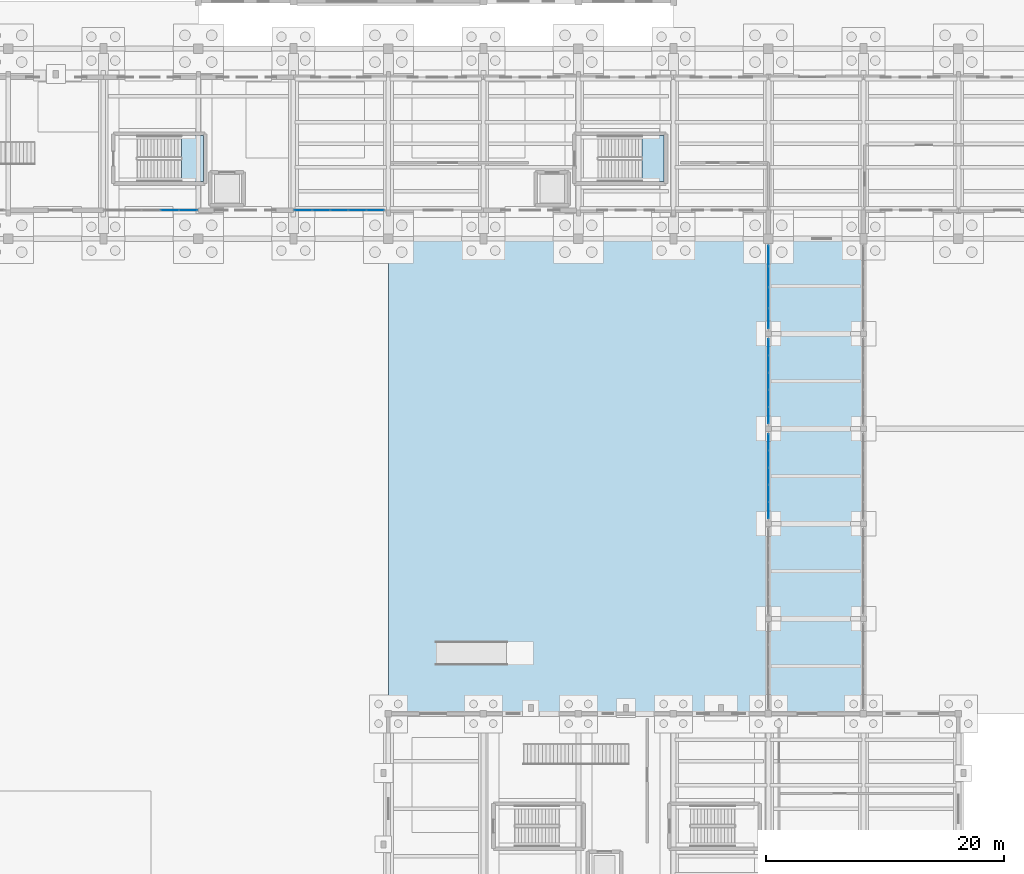
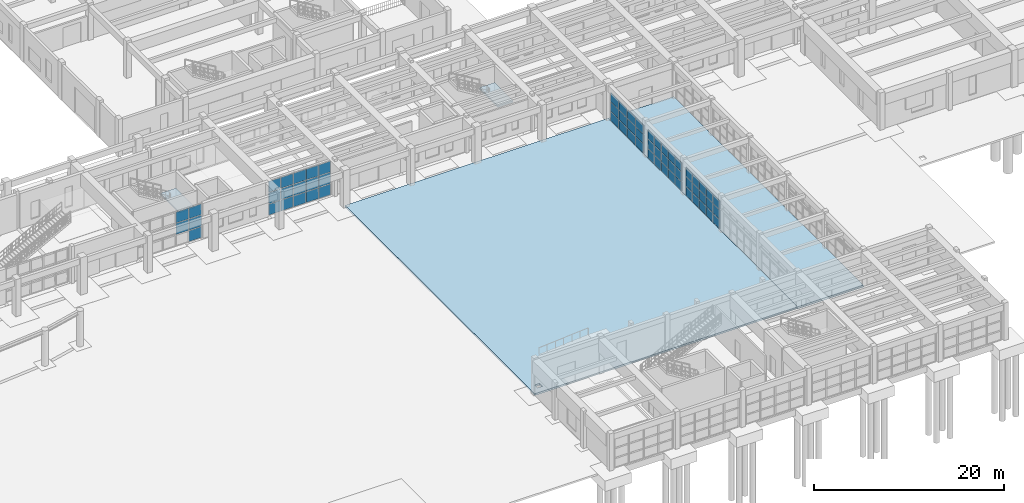
# One storey, part 39 of 68: 62 plates, 4 slabs, 7 elements without a shape of their own.
"""IFC4 building model written with IfcOpenShell, lengths in metres."""

import ifcopenshell
import ifcopenshell.guid

model = None  # the IFC model being written
_history = None  # IfcOwnerHistory: only IFC2X3 demands one
_inside = {}  # id of a spatial element -> (the spatial element, [elements in it])
_under = {}  # id of a project, library or spatial element -> (it, [spatial elements below it])
_declared = {}  # id of a project -> (the project, [libraries it declares])
_typed = {}  # id of a type object -> (the type object, [elements of that type])
_made_of = {}  # id of a material, layer set ... -> (it, [elements and type objects made of it])


def new_model(schema):
    """Start an empty IFC model of exactly this schema.

    Asked for "IFC4X3", IfcOpenShell would pick the latest addendum, in which some entities
    have other attributes; the version numbers below select the first issue.
    IFC2X3 requires an IfcOwnerHistory on every rooted entity: one is made here for all.
    """
    global model, _history
    if schema == "IFC4X3":
        model = ifcopenshell.file(schema_version=(4, 3, 0, 0))
    else:
        model = ifcopenshell.file(schema=schema)
    _inside.clear()
    _under.clear()
    _declared.clear()
    _typed.clear()
    _made_of.clear()
    _history = None
    if model.schema == "IFC2X3":
        org = make("IfcOrganization", Name="unknown")
        user = make(
            "IfcPersonAndOrganization",
            ThePerson=make("IfcPerson", FamilyName="unknown"),
            TheOrganization=org,
        )
        app = make(
            "IfcApplication",
            ApplicationDeveloper=org,
            Version="unknown",
            ApplicationFullName="unknown",
            ApplicationIdentifier="unknown",
        )
        _history = make(
            "IfcOwnerHistory",
            OwningUser=user,
            OwningApplication=app,
            ChangeAction="ADDED",
            CreationDate=0,
        )
    return model


def make(cls, **values):
    """One entity of the class cls with the attributes given. An attribute that is None is left unset."""
    return model.create_entity(
        cls, **{name: value for name, value in values.items() if value is not None}
    )


def rooted(cls, **values):
    """An entity with a GlobalId (a new one), such as an element, a storey or a relation."""
    return make(cls, GlobalId=ifcopenshell.guid.new(), OwnerHistory=_history, **values)


def si_unit(unit_type, name, prefix=None):
    """IfcSIUnit, for example si_unit("LENGTHUNIT", "METRE", prefix="MILLI")."""
    return make("IfcSIUnit", UnitType=unit_type, Prefix=prefix, Name=name)


def assignment(units):
    """IfcUnitAssignment: the units of a project."""
    return None if units is None else make("IfcUnitAssignment", Units=units)


def point(xyz):
    """IfcCartesianPoint."""
    return None if xyz is None else make("IfcCartesianPoint", Coordinates=xyz)


def direction(xyz):
    """IfcDirection."""
    return None if xyz is None else make("IfcDirection", DirectionRatios=xyz)


def frame(location, z_axis=None, x_axis=None):
    """IfcAxis2Placement3D, a coordinate frame: its origin and axes. An axis left out is left unset."""
    return make(
        "IfcAxis2Placement3D",
        Location=point(location),
        Axis=direction(z_axis),
        RefDirection=direction(x_axis),
    )


def frame_2d(location, x_axis=None):
    """IfcAxis2Placement2D, a coordinate frame in the plane: its origin and x axis."""
    return make(
        "IfcAxis2Placement2D", Location=point(location), RefDirection=direction(x_axis)
    )


def origin():
    """The frame at (0, 0, 0) with its axes left unset."""
    return frame((0.0, 0.0, 0.0))


def origin_2d():
    """The frame at (0, 0) in the plane with its x axis left unset."""
    return frame_2d((0.0, 0.0))


def place(relative_to, where):
    """IfcLocalPlacement: puts the frame where relative to a parent placement (None: the world)."""
    return make(
        "IfcLocalPlacement", PlacementRelTo=relative_to, RelativePlacement=where
    )


def context(
    kind, dimensions, precision=None, world=None, true_north=None, identifier=None
):
    """IfcGeometricRepresentationContext, for example the 3D "Model" context."""
    return make(
        "IfcGeometricRepresentationContext",
        ContextIdentifier=identifier,
        ContextType=kind,
        CoordinateSpaceDimension=dimensions,
        Precision=precision,
        WorldCoordinateSystem=world,
        TrueNorth=true_north,
    )


def subcontext(parent, identifier, kind, view, scale=None):
    """IfcGeometricRepresentationSubContext, for example "Body" below "Model"."""
    return make(
        "IfcGeometricRepresentationSubContext",
        ContextIdentifier=identifier,
        ContextType=kind,
        ParentContext=parent,
        TargetScale=scale,
        TargetView=view,
    )


def project(units=None, contexts=None):
    """IfcProject with its units and contexts."""
    return rooted(
        "IfcProject",
        Name="project",
        RepresentationContexts=contexts,
        UnitsInContext=assignment(units),
    )


def spatial(cls, under=None, at=None, **own):
    """A site, building, storey or space (cls), placed at a placement, below another one or the project."""
    s = rooted(cls, ObjectPlacement=at, **own)
    if under is not None:
        _under.setdefault(under.id(), (under, []))[1].append(s)
    return s


def polyline(points):
    """IfcPolyline through the points."""
    return make("IfcPolyline", Points=[point(p) for p in points])


def profile(cls, at=None, kind="AREA", **sizes):
    """A parametric profile (cls). Its sizes go by their IFC names, for example OverallWidth=200.0."""
    return make(cls, ProfileType=kind, Position=at, **sizes)


def rectangle(**sizes):
    """IfcRectangleProfileDef."""
    return profile("IfcRectangleProfileDef", **sizes)


def outline(outer, holes=None, kind="AREA"):
    """IfcArbitraryClosedProfileDef: a profile drawn as a closed curve; with holes, ...WithVoids."""
    if holes is None:
        return make("IfcArbitraryClosedProfileDef", ProfileType=kind, OuterCurve=outer)
    return make(
        "IfcArbitraryProfileDefWithVoids",
        ProfileType=kind,
        OuterCurve=outer,
        InnerCurves=holes,
    )


def extrude(swept, where, along, depth):
    """IfcExtrudedAreaSolid: the profile swept, set in the frame where, extruded along a direction by depth."""
    return make(
        "IfcExtrudedAreaSolid",
        SweptArea=swept,
        Position=where,
        ExtrudedDirection=direction(along),
        Depth=depth,
    )


def shape(context_of_items, identifier, shape_type, items):
    """IfcShapeRepresentation: the items that make up one representation, for example the "Body"."""
    return make(
        "IfcShapeRepresentation",
        ContextOfItems=context_of_items,
        RepresentationIdentifier=identifier,
        RepresentationType=shape_type,
        Items=items,
    )


def material(Name=None, Category=None):
    """IfcMaterial."""
    return make("IfcMaterial", Name=Name, Category=Category)


def layer(
    of_material, thickness, ventilated=None, Name=None, Category=None, Priority=None
):
    """IfcMaterialLayer: one layer of a wall or slab, of a material (None: an air gap)."""
    return make(
        "IfcMaterialLayer",
        Material=of_material,
        LayerThickness=thickness,
        IsVentilated=ventilated,
        Name=Name,
        Category=Category,
        Priority=Priority,
    )


def layer_set(layers, Name=None):
    """IfcMaterialLayerSet."""
    return make("IfcMaterialLayerSet", MaterialLayers=layers, LayerSetName=Name)


def made_of(thing, what):
    """Note that an element or type object is made of a material, layer set ...; save() writes the relation."""
    if what is not None:
        _made_of.setdefault(what.id(), (what, []))[1].append(thing)
    return thing


def type_object(cls, material=None, **own):
    """A type object (cls), such as IfcWallType, which elements share."""
    return made_of(rooted(cls, **own), material)


def element(
    cls,
    number,
    at=None,
    inside=None,
    cuts=None,
    type_object=None,
    material=None,
    context=None,
    identifier="Body",
    shape_type=None,
    held_by="IfcProductDefinitionShape",
    body=None,
    shapes=None,
    **own,
):
    """One element of the class cls, such as IfcWall. Its Tag is "e" and its number.

    at: its placement. inside: the storey or other place that contains it. cuts: it is an
    opening in that element (IfcRelVoidsElement). A single representation is given by context,
    identifier, shape_type and body (its items); several are given by shapes. held_by: the class
    of the entity that holds the representations. save() writes the other relations.
    """
    e = rooted(cls, Tag="e%d" % number, ObjectPlacement=at, **own)
    if body is not None:
        shapes = [shape(context, identifier, shape_type, body)]
    if shapes is not None:
        e.Representation = make(held_by, Representations=shapes)
    if inside is not None:
        _inside.setdefault(inside.id(), (inside, []))[1].append(e)
    if cuts is not None:
        rooted(
            "IfcRelVoidsElement", RelatingBuildingElement=cuts, RelatedOpeningElement=e
        )
    if type_object is not None:
        _typed.setdefault(type_object.id(), (type_object, []))[1].append(e)
    return made_of(e, material)


def aggregate(whole, parts):
    """IfcRelAggregates: a whole, such as a stair, and the parts it consists of."""
    return rooted("IfcRelAggregates", RelatingObject=whole, RelatedObjects=parts)


def save(model, path):
    """Write the relations noted so far, then the file.

    IfcRelAggregates (storeys below a building ...), IfcRelContainedInSpatialStructure (elements
    in a storey), IfcRelDefinesByType, IfcRelAssociatesMaterial and IfcRelDeclares: one each for
    every whole, place, type object, material and project.
    """
    for whole, parts in _under.values():
        aggregate(whole, parts)
    for where, things in _inside.values():
        rooted(
            "IfcRelContainedInSpatialStructure",
            RelatedElements=things,
            RelatingStructure=where,
        )
    for kind, things in _typed.values():
        rooted("IfcRelDefinesByType", RelatedObjects=things, RelatingType=kind)
    for what, things in _made_of.values():
        rooted("IfcRelAssociatesMaterial", RelatedObjects=things, RelatingMaterial=what)
    for by, libraries in _declared.values():
        rooted("IfcRelDeclares", RelatingContext=by, RelatedDefinitions=libraries)
    model.write(path)


model = new_model("IFC4")

# Units and contexts
model_context = context("Model", 3, precision=1e-05, world=origin(), true_north=direction((0.0, 1.0)))
body_context = subcontext(model_context, "Body", "Model", "MODEL_VIEW")
ifc_project = project(units=[si_unit("LENGTHUNIT", "METRE"), si_unit("AREAUNIT", "SQUARE_METRE"), si_unit("VOLUMEUNIT", "CUBIC_METRE"), si_unit("PLANEANGLEUNIT", "RADIAN"), si_unit("MASSUNIT", "GRAM", prefix="KILO")], contexts=[model_context])

# Site, building, storey
site_placement = place(None, origin())
site = spatial("IfcSite", under=ifc_project, at=site_placement, CompositionType="ELEMENT")
building_placement = place(site_placement, origin())
building = spatial("IfcBuilding", under=site, at=building_placement, Name="Serraluz Foothill Cableway Terminal", CompositionType="ELEMENT")
storey_placement = place(building_placement, origin())
storey = spatial("IfcBuildingStorey", under=building, at=storey_placement, Name="L00", CompositionType="ELEMENT", Elevation=0.0)

# Curtain wall, plates
ifc_material_1 = material(Name="Architectural bronze alloy C28000", Category="aluminium")
curtain_wall_type_1 = type_object("IfcCurtainWallType", Name="TYP-CW-720X480", PredefinedType="NOTDEFINED", material=ifc_material_1)
curtain_wall_1_placement = place(storey_placement, origin())
curtain_wall_1 = element("IfcCurtainWall", 1, at=curtain_wall_1_placement, inside=storey, type_object=curtain_wall_type_1, Name="Ribbed Glazed Curtain Wall CW-V1S-L00-64", PredefinedType="NOTDEFINED")
ifc_material_2 = material(Name="Translucent ribbed laminated channel glass", Category="glass")
ifc_layer_1 = layer(ifc_material_2, 0.028076171875, Name="Translucent ribbed laminated channel glass", Category="glass")
ifc_layer_set_1 = layer_set([ifc_layer_1], Name="Translucent ribbed laminated channel glass")
plate_type = type_object("IfcPlateType", Name="TYP-CW-PNL-28", PredefinedType="CURTAIN_PANEL", material=ifc_layer_set_1)
plate_1_placement = place(storey_placement, frame((71.143310546875, 58.39990234375, 0.06005859375), z_axis=(0.0, 0.0, 1.0), x_axis=(-1.0, 0.0, 0.0)))
plate_1 = element("IfcPlate", 2, at=plate_1_placement, type_object=plate_type, Name="CW-04 panel 1.1", PredefinedType="CURTAIN_PANEL", context=body_context, shape_type="SweptSolid", body=[
    extrude(rectangle(XDim=1.4892578125, YDim=0.028076171875, at=origin_2d()), origin(), (0.0, 0.0, 1.0), 1.393310546875),
])
plate_2_placement = place(storey_placement, frame((71.143310546875, 58.39990234375, 1.513427734375), z_axis=(0.0, 0.0, 1.0), x_axis=(-1.0, 0.0, 0.0)))
plate_2 = element("IfcPlate", 3, at=plate_2_placement, type_object=plate_type, Name="CW-04 panel 1.2", PredefinedType="CURTAIN_PANEL", context=body_context, shape_type="SweptSolid", body=[
    extrude(rectangle(XDim=1.4892578125, YDim=0.028076171875, at=origin_2d()), origin(), (0.0, 0.0, 1.0), 1.42333984375),
])
plate_3_placement = place(storey_placement, frame((71.143310546875, 58.39990234375, 2.99658203125), z_axis=(0.0, 0.0, 1.0), x_axis=(-1.0, 0.0, 0.0)))
plate_3 = element("IfcPlate", 4, at=plate_3_placement, type_object=plate_type, Name="CW-04 panel 1.3", PredefinedType="CURTAIN_PANEL", context=body_context, shape_type="SweptSolid", body=[
    extrude(rectangle(XDim=1.4892578125, YDim=0.028076171875, at=origin_2d()), origin(), (0.0, 0.0, 1.0), 1.393310546875),
])
plate_4_placement = place(storey_placement, frame((69.5791015625, 58.39990234375, 1.513427734375), z_axis=(0.0, 0.0, 1.0), x_axis=(-1.0, 0.0, 0.0)))
plate_4 = element("IfcPlate", 5, at=plate_4_placement, type_object=plate_type, Name="CW-04 panel 2.2", PredefinedType="CURTAIN_PANEL", context=body_context, shape_type="SweptSolid", body=[
    extrude(rectangle(XDim=1.519287109375, YDim=0.028076171875, at=origin_2d()), origin(), (0.0, 0.0, 1.0), 1.42333984375),
])
plate_5_placement = place(storey_placement, frame((69.5791015625, 58.39990234375, 2.99658203125), z_axis=(0.0, 0.0, 1.0), x_axis=(-1.0, 0.0, 0.0)))
plate_5 = element("IfcPlate", 6, at=plate_5_placement, type_object=plate_type, Name="CW-04 panel 2.3", PredefinedType="CURTAIN_PANEL", context=body_context, shape_type="SweptSolid", body=[
    extrude(rectangle(XDim=1.519287109375, YDim=0.028076171875, at=origin_2d()), origin(), (0.0, 0.0, 1.0), 1.393310546875),
])
aggregate(curtain_wall_1, [plate_1, plate_2, plate_3, plate_4, plate_5])

curtain_wall_type_2 = type_object("IfcCurtainWallType", Name="TYP-CW-740X440", PredefinedType="NOTDEFINED", material=ifc_material_1)
curtain_wall_2_placement = place(storey_placement, origin())
curtain_wall_2 = element("IfcCurtainWall", 7, at=curtain_wall_2_placement, inside=storey, type_object=curtain_wall_type_2, Name="Ribbed Glazed Curtain Wall CW-V1S-L00-80", PredefinedType="NOTDEFINED")
plate_6_placement = place(storey_placement, frame((86.90673828125, 58.39990234375, 0.06005859375), z_axis=(0.0, 0.0, 1.0), x_axis=(-1.0, 0.0, 0.0)))
plate_6 = element("IfcPlate", 8, at=plate_6_placement, type_object=plate_type, Name="CW-06 panel 1.1", PredefinedType="CURTAIN_PANEL", context=body_context, shape_type="SweptSolid", body=[
    extrude(rectangle(XDim=1.4365234375, YDim=0.028076171875, at=origin_2d()), origin(), (0.0, 0.0, 1.0), 1.393310546875),
])
plate_7_placement = place(storey_placement, frame((86.90673828125, 58.39990234375, 1.513427734375), z_axis=(0.0, 0.0, 1.0), x_axis=(-1.0, 0.0, 0.0)))
plate_7 = element("IfcPlate", 9, at=plate_7_placement, type_object=plate_type, Name="CW-06 panel 1.2", PredefinedType="CURTAIN_PANEL", context=body_context, shape_type="SweptSolid", body=[
    extrude(rectangle(XDim=1.4365234375, YDim=0.028076171875, at=origin_2d()), origin(), (0.0, 0.0, 1.0), 1.42333984375),
])
plate_8_placement = place(storey_placement, frame((86.90673828125, 58.39990234375, 2.99658203125), z_axis=(0.0, 0.0, 1.0), x_axis=(-1.0, 0.0, 0.0)))
plate_8 = element("IfcPlate", 10, at=plate_8_placement, type_object=plate_type, Name="CW-06 panel 1.3", PredefinedType="CURTAIN_PANEL", context=body_context, shape_type="SweptSolid", body=[
    extrude(rectangle(XDim=1.4365234375, YDim=0.028076171875, at=origin_2d()), origin(), (0.0, 0.0, 1.0), 1.393310546875),
])
plate_9_placement = place(storey_placement, frame((85.39501953125, 58.39990234375, 0.06005859375), z_axis=(0.0, 0.0, 1.0), x_axis=(-1.0, 0.0, 0.0)))
plate_9 = element("IfcPlate", 11, at=plate_9_placement, type_object=plate_type, Name="CW-06 panel 2.1", PredefinedType="CURTAIN_PANEL", context=body_context, shape_type="SweptSolid", body=[
    extrude(rectangle(XDim=1.466552734375, YDim=0.028076171875, at=origin_2d()), origin(), (0.0, 0.0, 1.0), 1.393310546875),
])
plate_10_placement = place(storey_placement, frame((85.39501953125, 58.39990234375, 1.513427734375), z_axis=(0.0, 0.0, 1.0), x_axis=(-1.0, 0.0, 0.0)))
plate_10 = element("IfcPlate", 12, at=plate_10_placement, type_object=plate_type, Name="CW-06 panel 2.2", PredefinedType="CURTAIN_PANEL", context=body_context, shape_type="SweptSolid", body=[
    extrude(rectangle(XDim=1.466552734375, YDim=0.028076171875, at=origin_2d()), origin(), (0.0, 0.0, 1.0), 1.42333984375),
])
plate_11_placement = place(storey_placement, frame((85.39501953125, 58.39990234375, 2.99658203125), z_axis=(0.0, 0.0, 1.0), x_axis=(-1.0, 0.0, 0.0)))
plate_11 = element("IfcPlate", 13, at=plate_11_placement, type_object=plate_type, Name="CW-06 panel 2.3", PredefinedType="CURTAIN_PANEL", context=body_context, shape_type="SweptSolid", body=[
    extrude(rectangle(XDim=1.466552734375, YDim=0.028076171875, at=origin_2d()), origin(), (0.0, 0.0, 1.0), 1.393310546875),
])
plate_12_placement = place(storey_placement, frame((83.868408203125, 58.39990234375, 0.06005859375), z_axis=(0.0, 0.0, 1.0), x_axis=(-1.0, 0.0, 0.0)))
plate_12 = element("IfcPlate", 14, at=plate_12_placement, type_object=plate_type, Name="CW-06 panel 3.1", PredefinedType="CURTAIN_PANEL", context=body_context, shape_type="SweptSolid", body=[
    extrude(rectangle(XDim=1.466552734375, YDim=0.028076171875, at=origin_2d()), origin(), (0.0, 0.0, 1.0), 1.393310546875),
])
plate_13_placement = place(storey_placement, frame((83.868408203125, 58.39990234375, 1.513427734375), z_axis=(0.0, 0.0, 1.0), x_axis=(-1.0, 0.0, 0.0)))
plate_13 = element("IfcPlate", 15, at=plate_13_placement, type_object=plate_type, Name="CW-06 panel 3.2", PredefinedType="CURTAIN_PANEL", context=body_context, shape_type="SweptSolid", body=[
    extrude(rectangle(XDim=1.466552734375, YDim=0.028076171875, at=origin_2d()), origin(), (0.0, 0.0, 1.0), 1.42333984375),
])
plate_14_placement = place(storey_placement, frame((83.868408203125, 58.39990234375, 2.99658203125), z_axis=(0.0, 0.0, 1.0), x_axis=(-1.0, 0.0, 0.0)))
plate_14 = element("IfcPlate", 16, at=plate_14_placement, type_object=plate_type, Name="CW-06 panel 3.3", PredefinedType="CURTAIN_PANEL", context=body_context, shape_type="SweptSolid", body=[
    extrude(rectangle(XDim=1.466552734375, YDim=0.028076171875, at=origin_2d()), origin(), (0.0, 0.0, 1.0), 1.393310546875),
])
plate_15_placement = place(storey_placement, frame((82.341796875, 58.39990234375, 0.06005859375), z_axis=(0.0, 0.0, 1.0), x_axis=(-1.0, 0.0, 0.0)))
plate_15 = element("IfcPlate", 17, at=plate_15_placement, type_object=plate_type, Name="CW-06 panel 4.1", PredefinedType="CURTAIN_PANEL", context=body_context, shape_type="SweptSolid", body=[
    extrude(rectangle(XDim=1.466552734375, YDim=0.028076171875, at=origin_2d()), origin(), (0.0, 0.0, 1.0), 1.393310546875),
])
plate_16_placement = place(storey_placement, frame((82.341796875, 58.39990234375, 1.513427734375), z_axis=(0.0, 0.0, 1.0), x_axis=(-1.0, 0.0, 0.0)))
plate_16 = element("IfcPlate", 18, at=plate_16_placement, type_object=plate_type, Name="CW-06 panel 4.2", PredefinedType="CURTAIN_PANEL", context=body_context, shape_type="SweptSolid", body=[
    extrude(rectangle(XDim=1.466552734375, YDim=0.028076171875, at=origin_2d()), origin(), (0.0, 0.0, 1.0), 1.42333984375),
])
plate_17_placement = place(storey_placement, frame((82.341796875, 58.39990234375, 2.99658203125), z_axis=(0.0, 0.0, 1.0), x_axis=(-1.0, 0.0, 0.0)))
plate_17 = element("IfcPlate", 19, at=plate_17_placement, type_object=plate_type, Name="CW-06 panel 4.3", PredefinedType="CURTAIN_PANEL", context=body_context, shape_type="SweptSolid", body=[
    extrude(rectangle(XDim=1.466552734375, YDim=0.028076171875, at=origin_2d()), origin(), (0.0, 0.0, 1.0), 1.393310546875),
])
plate_18_placement = place(storey_placement, frame((80.830322265625, 58.39990234375, 0.06005859375), z_axis=(0.0, 0.0, 1.0), x_axis=(-1.0, 0.0, 0.0)))
plate_18 = element("IfcPlate", 20, at=plate_18_placement, type_object=plate_type, Name="CW-06 panel 5.1", PredefinedType="CURTAIN_PANEL", context=body_context, shape_type="SweptSolid", body=[
    extrude(rectangle(XDim=1.4365234375, YDim=0.028076171875, at=origin_2d()), origin(), (0.0, 0.0, 1.0), 1.393310546875),
])
plate_19_placement = place(storey_placement, frame((80.830322265625, 58.39990234375, 1.513427734375), z_axis=(0.0, 0.0, 1.0), x_axis=(-1.0, 0.0, 0.0)))
plate_19 = element("IfcPlate", 21, at=plate_19_placement, type_object=plate_type, Name="CW-06 panel 5.2", PredefinedType="CURTAIN_PANEL", context=body_context, shape_type="SweptSolid", body=[
    extrude(rectangle(XDim=1.4365234375, YDim=0.028076171875, at=origin_2d()), origin(), (0.0, 0.0, 1.0), 1.42333984375),
])
plate_20_placement = place(storey_placement, frame((80.830322265625, 58.39990234375, 2.99658203125), z_axis=(0.0, 0.0, 1.0), x_axis=(-1.0, 0.0, 0.0)))
plate_20 = element("IfcPlate", 22, at=plate_20_placement, type_object=plate_type, Name="CW-06 panel 5.3", PredefinedType="CURTAIN_PANEL", context=body_context, shape_type="SweptSolid", body=[
    extrude(rectangle(XDim=1.4365234375, YDim=0.028076171875, at=origin_2d()), origin(), (0.0, 0.0, 1.0), 1.393310546875),
])
aggregate(curtain_wall_2, [plate_6, plate_7, plate_8, plate_9, plate_10, plate_11, plate_12, plate_13, plate_14, plate_15, plate_16, plate_17, plate_18, plate_19, plate_20])

curtain_wall_type_3 = type_object("IfcCurtainWallType", Name="TYP-CW-710X420", PredefinedType="NOTDEFINED", material=ifc_material_1)
curtain_wall_3_placement = place(storey_placement, origin())
curtain_wall_3 = element("IfcCurtainWall", 23, at=curtain_wall_3_placement, inside=storey, type_object=curtain_wall_type_3, Name="Ribbed Glazed Curtain Wall CW-CLW-L00-32", PredefinedType="NOTDEFINED")
plate_21_placement = place(storey_placement, frame((120.0, 33.126953125, 0.06005859375), z_axis=(0.0, 0.0, 1.0), x_axis=(0.0, 1.0, 0.0)))
plate_21 = element("IfcPlate", 24, at=plate_21_placement, type_object=plate_type, Name="CW-01 panel 1.1", PredefinedType="CURTAIN_PANEL", context=body_context, shape_type="SweptSolid", body=[
    extrude(rectangle(XDim=1.35400390625, YDim=0.028076171875, at=origin_2d()), origin(), (0.0, 0.0, 1.0), 1.163330078125),
])
plate_22_placement = place(storey_placement, frame((120.0, 33.126953125, 1.283203125), z_axis=(0.0, 0.0, 1.0), x_axis=(0.0, 1.0, 0.0)))
plate_22 = element("IfcPlate", 25, at=plate_22_placement, type_object=plate_type, Name="CW-01 panel 1.2", PredefinedType="CURTAIN_PANEL", context=body_context, shape_type="SweptSolid", body=[
    extrude(rectangle(XDim=1.35400390625, YDim=0.028076171875, at=origin_2d()), origin(), (0.0, 0.0, 1.0), 1.193359375),
])
plate_23_placement = place(storey_placement, frame((120.0, 33.126953125, 2.53662109375), z_axis=(0.0, 0.0, 1.0), x_axis=(0.0, 1.0, 0.0)))
plate_23 = element("IfcPlate", 26, at=plate_23_placement, type_object=plate_type, Name="CW-01 panel 1.3", PredefinedType="CURTAIN_PANEL", context=body_context, shape_type="SweptSolid", body=[
    extrude(rectangle(XDim=1.35400390625, YDim=0.028076171875, at=origin_2d()), origin(), (0.0, 0.0, 1.0), 1.163330078125),
])
plate_24_placement = place(storey_placement, frame((120.0, 34.555908203125, 0.06005859375), z_axis=(0.0, 0.0, 1.0), x_axis=(0.0, 1.0, 0.0)))
plate_24 = element("IfcPlate", 27, at=plate_24_placement, type_object=plate_type, Name="CW-01 panel 2.1", PredefinedType="CURTAIN_PANEL", context=body_context, shape_type="SweptSolid", body=[
    extrude(rectangle(XDim=1.384033203125, YDim=0.028076171875, at=origin_2d()), origin(), (0.0, 0.0, 1.0), 1.163330078125),
])
plate_25_placement = place(storey_placement, frame((120.0, 34.555908203125, 1.283203125), z_axis=(0.0, 0.0, 1.0), x_axis=(0.0, 1.0, 0.0)))
plate_25 = element("IfcPlate", 28, at=plate_25_placement, type_object=plate_type, Name="CW-01 panel 2.2", PredefinedType="CURTAIN_PANEL", context=body_context, shape_type="SweptSolid", body=[
    extrude(rectangle(XDim=1.384033203125, YDim=0.028076171875, at=origin_2d()), origin(), (0.0, 0.0, 1.0), 1.193359375),
])
plate_26_placement = place(storey_placement, frame((120.0, 34.555908203125, 2.53662109375), z_axis=(0.0, 0.0, 1.0), x_axis=(0.0, 1.0, 0.0)))
plate_26 = element("IfcPlate", 29, at=plate_26_placement, type_object=plate_type, Name="CW-01 panel 2.3", PredefinedType="CURTAIN_PANEL", context=body_context, shape_type="SweptSolid", body=[
    extrude(rectangle(XDim=1.384033203125, YDim=0.028076171875, at=origin_2d()), origin(), (0.0, 0.0, 1.0), 1.163330078125),
])
plate_27_placement = place(storey_placement, frame((120.0, 36.0, 0.06005859375), z_axis=(0.0, 0.0, 1.0), x_axis=(0.0, 1.0, 0.0)))
plate_27 = element("IfcPlate", 30, at=plate_27_placement, type_object=plate_type, Name="CW-01 panel 3.1", PredefinedType="CURTAIN_PANEL", context=body_context, shape_type="SweptSolid", body=[
    extrude(rectangle(XDim=1.384033203125, YDim=0.028076171875, at=origin_2d()), origin(), (0.0, 0.0, 1.0), 1.163330078125),
])
plate_28_placement = place(storey_placement, frame((120.0, 36.0, 1.283203125), z_axis=(0.0, 0.0, 1.0), x_axis=(0.0, 1.0, 0.0)))
plate_28 = element("IfcPlate", 31, at=plate_28_placement, type_object=plate_type, Name="CW-01 panel 3.2", PredefinedType="CURTAIN_PANEL", context=body_context, shape_type="SweptSolid", body=[
    extrude(rectangle(XDim=1.384033203125, YDim=0.028076171875, at=origin_2d()), origin(), (0.0, 0.0, 1.0), 1.193359375),
])
plate_29_placement = place(storey_placement, frame((120.0, 36.0, 2.53662109375), z_axis=(0.0, 0.0, 1.0), x_axis=(0.0, 1.0, 0.0)))
plate_29 = element("IfcPlate", 32, at=plate_29_placement, type_object=plate_type, Name="CW-01 panel 3.3", PredefinedType="CURTAIN_PANEL", context=body_context, shape_type="SweptSolid", body=[
    extrude(rectangle(XDim=1.384033203125, YDim=0.028076171875, at=origin_2d()), origin(), (0.0, 0.0, 1.0), 1.163330078125),
])
plate_30_placement = place(storey_placement, frame((120.0, 37.444091796875, 0.06005859375), z_axis=(0.0, 0.0, 1.0), x_axis=(0.0, 1.0, 0.0)))
plate_30 = element("IfcPlate", 33, at=plate_30_placement, type_object=plate_type, Name="CW-01 panel 4.1", PredefinedType="CURTAIN_PANEL", context=body_context, shape_type="SweptSolid", body=[
    extrude(rectangle(XDim=1.384033203125, YDim=0.028076171875, at=origin_2d()), origin(), (0.0, 0.0, 1.0), 1.163330078125),
])
plate_31_placement = place(storey_placement, frame((120.0, 37.444091796875, 1.283203125), z_axis=(0.0, 0.0, 1.0), x_axis=(0.0, 1.0, 0.0)))
plate_31 = element("IfcPlate", 34, at=plate_31_placement, type_object=plate_type, Name="CW-01 panel 4.2", PredefinedType="CURTAIN_PANEL", context=body_context, shape_type="SweptSolid", body=[
    extrude(rectangle(XDim=1.384033203125, YDim=0.028076171875, at=origin_2d()), origin(), (0.0, 0.0, 1.0), 1.193359375),
])
plate_32_placement = place(storey_placement, frame((120.0, 37.444091796875, 2.53662109375), z_axis=(0.0, 0.0, 1.0), x_axis=(0.0, 1.0, 0.0)))
plate_32 = element("IfcPlate", 35, at=plate_32_placement, type_object=plate_type, Name="CW-01 panel 4.3", PredefinedType="CURTAIN_PANEL", context=body_context, shape_type="SweptSolid", body=[
    extrude(rectangle(XDim=1.384033203125, YDim=0.028076171875, at=origin_2d()), origin(), (0.0, 0.0, 1.0), 1.163330078125),
])
plate_33_placement = place(storey_placement, frame((120.0, 38.873046875, 0.06005859375), z_axis=(0.0, 0.0, 1.0), x_axis=(0.0, 1.0, 0.0)))
plate_33 = element("IfcPlate", 36, at=plate_33_placement, type_object=plate_type, Name="CW-01 panel 5.1", PredefinedType="CURTAIN_PANEL", context=body_context, shape_type="SweptSolid", body=[
    extrude(rectangle(XDim=1.35400390625, YDim=0.028076171875, at=origin_2d()), origin(), (0.0, 0.0, 1.0), 1.163330078125),
])
plate_34_placement = place(storey_placement, frame((120.0, 38.873046875, 1.283203125), z_axis=(0.0, 0.0, 1.0), x_axis=(0.0, 1.0, 0.0)))
plate_34 = element("IfcPlate", 37, at=plate_34_placement, type_object=plate_type, Name="CW-01 panel 5.2", PredefinedType="CURTAIN_PANEL", context=body_context, shape_type="SweptSolid", body=[
    extrude(rectangle(XDim=1.35400390625, YDim=0.028076171875, at=origin_2d()), origin(), (0.0, 0.0, 1.0), 1.193359375),
])
plate_35_placement = place(storey_placement, frame((120.0, 38.873046875, 2.53662109375), z_axis=(0.0, 0.0, 1.0), x_axis=(0.0, 1.0, 0.0)))
plate_35 = element("IfcPlate", 38, at=plate_35_placement, type_object=plate_type, Name="CW-01 panel 5.3", PredefinedType="CURTAIN_PANEL", context=body_context, shape_type="SweptSolid", body=[
    extrude(rectangle(XDim=1.35400390625, YDim=0.028076171875, at=origin_2d()), origin(), (0.0, 0.0, 1.0), 1.163330078125),
])
aggregate(curtain_wall_3, [plate_21, plate_22, plate_23, plate_24, plate_25, plate_26, plate_27, plate_28, plate_29, plate_30, plate_31, plate_32, plate_33, plate_34, plate_35])

curtain_wall_4_placement = place(storey_placement, origin())
curtain_wall_4 = element("IfcCurtainWall", 39, at=curtain_wall_4_placement, inside=storey, type_object=curtain_wall_type_3, Name="Ribbed Glazed Curtain Wall CW-CLW-L00-40", PredefinedType="NOTDEFINED")
plate_36_placement = place(storey_placement, frame((120.0, 41.126953125, 0.06005859375), z_axis=(0.0, 0.0, 1.0), x_axis=(0.0, 1.0, 0.0)))
plate_36 = element("IfcPlate", 40, at=plate_36_placement, type_object=plate_type, Name="CW-01 panel 1.1", PredefinedType="CURTAIN_PANEL", context=body_context, shape_type="SweptSolid", body=[
    extrude(rectangle(XDim=1.35400390625, YDim=0.028076171875, at=origin_2d()), origin(), (0.0, 0.0, 1.0), 1.163330078125),
])
plate_37_placement = place(storey_placement, frame((120.0, 41.126953125, 1.283203125), z_axis=(0.0, 0.0, 1.0), x_axis=(0.0, 1.0, 0.0)))
plate_37 = element("IfcPlate", 41, at=plate_37_placement, type_object=plate_type, Name="CW-01 panel 1.2", PredefinedType="CURTAIN_PANEL", context=body_context, shape_type="SweptSolid", body=[
    extrude(rectangle(XDim=1.35400390625, YDim=0.028076171875, at=origin_2d()), origin(), (0.0, 0.0, 1.0), 1.193359375),
])
plate_38_placement = place(storey_placement, frame((120.0, 41.126953125, 2.53662109375), z_axis=(0.0, 0.0, 1.0), x_axis=(0.0, 1.0, 0.0)))
plate_38 = element("IfcPlate", 42, at=plate_38_placement, type_object=plate_type, Name="CW-01 panel 1.3", PredefinedType="CURTAIN_PANEL", context=body_context, shape_type="SweptSolid", body=[
    extrude(rectangle(XDim=1.35400390625, YDim=0.028076171875, at=origin_2d()), origin(), (0.0, 0.0, 1.0), 1.163330078125),
])
plate_39_placement = place(storey_placement, frame((120.0, 42.555908203125, 0.06005859375), z_axis=(0.0, 0.0, 1.0), x_axis=(0.0, 1.0, 0.0)))
plate_39 = element("IfcPlate", 43, at=plate_39_placement, type_object=plate_type, Name="CW-01 panel 2.1", PredefinedType="CURTAIN_PANEL", context=body_context, shape_type="SweptSolid", body=[
    extrude(rectangle(XDim=1.384033203125, YDim=0.028076171875, at=origin_2d()), origin(), (0.0, 0.0, 1.0), 1.163330078125),
])
plate_40_placement = place(storey_placement, frame((120.0, 42.555908203125, 1.283203125), z_axis=(0.0, 0.0, 1.0), x_axis=(0.0, 1.0, 0.0)))
plate_40 = element("IfcPlate", 44, at=plate_40_placement, type_object=plate_type, Name="CW-01 panel 2.2", PredefinedType="CURTAIN_PANEL", context=body_context, shape_type="SweptSolid", body=[
    extrude(rectangle(XDim=1.384033203125, YDim=0.028076171875, at=origin_2d()), origin(), (0.0, 0.0, 1.0), 1.193359375),
])
plate_41_placement = place(storey_placement, frame((120.0, 42.555908203125, 2.53662109375), z_axis=(0.0, 0.0, 1.0), x_axis=(0.0, 1.0, 0.0)))
plate_41 = element("IfcPlate", 45, at=plate_41_placement, type_object=plate_type, Name="CW-01 panel 2.3", PredefinedType="CURTAIN_PANEL", context=body_context, shape_type="SweptSolid", body=[
    extrude(rectangle(XDim=1.384033203125, YDim=0.028076171875, at=origin_2d()), origin(), (0.0, 0.0, 1.0), 1.163330078125),
])
plate_42_placement = place(storey_placement, frame((120.0, 44.0, 0.06005859375), z_axis=(0.0, 0.0, 1.0), x_axis=(0.0, 1.0, 0.0)))
plate_42 = element("IfcPlate", 46, at=plate_42_placement, type_object=plate_type, Name="CW-01 panel 3.1", PredefinedType="CURTAIN_PANEL", context=body_context, shape_type="SweptSolid", body=[
    extrude(rectangle(XDim=1.384033203125, YDim=0.028076171875, at=origin_2d()), origin(), (0.0, 0.0, 1.0), 1.163330078125),
])
plate_43_placement = place(storey_placement, frame((120.0, 44.0, 1.283203125), z_axis=(0.0, 0.0, 1.0), x_axis=(0.0, 1.0, 0.0)))
plate_43 = element("IfcPlate", 47, at=plate_43_placement, type_object=plate_type, Name="CW-01 panel 3.2", PredefinedType="CURTAIN_PANEL", context=body_context, shape_type="SweptSolid", body=[
    extrude(rectangle(XDim=1.384033203125, YDim=0.028076171875, at=origin_2d()), origin(), (0.0, 0.0, 1.0), 1.193359375),
])
plate_44_placement = place(storey_placement, frame((120.0, 44.0, 2.53662109375), z_axis=(0.0, 0.0, 1.0), x_axis=(0.0, 1.0, 0.0)))
plate_44 = element("IfcPlate", 48, at=plate_44_placement, type_object=plate_type, Name="CW-01 panel 3.3", PredefinedType="CURTAIN_PANEL", context=body_context, shape_type="SweptSolid", body=[
    extrude(rectangle(XDim=1.384033203125, YDim=0.028076171875, at=origin_2d()), origin(), (0.0, 0.0, 1.0), 1.163330078125),
])
plate_45_placement = place(storey_placement, frame((120.0, 45.444091796875, 0.06005859375), z_axis=(0.0, 0.0, 1.0), x_axis=(0.0, 1.0, 0.0)))
plate_45 = element("IfcPlate", 49, at=plate_45_placement, type_object=plate_type, Name="CW-01 panel 4.1", PredefinedType="CURTAIN_PANEL", context=body_context, shape_type="SweptSolid", body=[
    extrude(rectangle(XDim=1.384033203125, YDim=0.028076171875, at=origin_2d()), origin(), (0.0, 0.0, 1.0), 1.163330078125),
])
plate_46_placement = place(storey_placement, frame((120.0, 45.444091796875, 1.283203125), z_axis=(0.0, 0.0, 1.0), x_axis=(0.0, 1.0, 0.0)))
plate_46 = element("IfcPlate", 50, at=plate_46_placement, type_object=plate_type, Name="CW-01 panel 4.2", PredefinedType="CURTAIN_PANEL", context=body_context, shape_type="SweptSolid", body=[
    extrude(rectangle(XDim=1.384033203125, YDim=0.028076171875, at=origin_2d()), origin(), (0.0, 0.0, 1.0), 1.193359375),
])
plate_47_placement = place(storey_placement, frame((120.0, 45.444091796875, 2.53662109375), z_axis=(0.0, 0.0, 1.0), x_axis=(0.0, 1.0, 0.0)))
plate_47 = element("IfcPlate", 51, at=plate_47_placement, type_object=plate_type, Name="CW-01 panel 4.3", PredefinedType="CURTAIN_PANEL", context=body_context, shape_type="SweptSolid", body=[
    extrude(rectangle(XDim=1.384033203125, YDim=0.028076171875, at=origin_2d()), origin(), (0.0, 0.0, 1.0), 1.163330078125),
])
plate_48_placement = place(storey_placement, frame((120.0, 46.873046875, 0.06005859375), z_axis=(0.0, 0.0, 1.0), x_axis=(0.0, 1.0, 0.0)))
plate_48 = element("IfcPlate", 52, at=plate_48_placement, type_object=plate_type, Name="CW-01 panel 5.1", PredefinedType="CURTAIN_PANEL", context=body_context, shape_type="SweptSolid", body=[
    extrude(rectangle(XDim=1.35400390625, YDim=0.028076171875, at=origin_2d()), origin(), (0.0, 0.0, 1.0), 1.163330078125),
])
plate_49_placement = place(storey_placement, frame((120.0, 46.873046875, 1.283203125), z_axis=(0.0, 0.0, 1.0), x_axis=(0.0, 1.0, 0.0)))
plate_49 = element("IfcPlate", 53, at=plate_49_placement, type_object=plate_type, Name="CW-01 panel 5.2", PredefinedType="CURTAIN_PANEL", context=body_context, shape_type="SweptSolid", body=[
    extrude(rectangle(XDim=1.35400390625, YDim=0.028076171875, at=origin_2d()), origin(), (0.0, 0.0, 1.0), 1.193359375),
])
plate_50_placement = place(storey_placement, frame((120.0, 46.873046875, 2.53662109375), z_axis=(0.0, 0.0, 1.0), x_axis=(0.0, 1.0, 0.0)))
plate_50 = element("IfcPlate", 54, at=plate_50_placement, type_object=plate_type, Name="CW-01 panel 5.3", PredefinedType="CURTAIN_PANEL", context=body_context, shape_type="SweptSolid", body=[
    extrude(rectangle(XDim=1.35400390625, YDim=0.028076171875, at=origin_2d()), origin(), (0.0, 0.0, 1.0), 1.163330078125),
])
aggregate(curtain_wall_4, [plate_36, plate_37, plate_38, plate_39, plate_40, plate_41, plate_42, plate_43, plate_44, plate_45, plate_46, plate_47, plate_48, plate_49, plate_50])

curtain_wall_5_placement = place(storey_placement, origin())
curtain_wall_5 = element("IfcCurtainWall", 55, at=curtain_wall_5_placement, inside=storey, type_object=curtain_wall_type_3, Name="Ribbed Glazed Curtain Wall CW-CLW-L00-48", PredefinedType="NOTDEFINED")
plate_51_placement = place(storey_placement, frame((120.0, 49.288818359375, 0.06005859375), z_axis=(0.0, 0.0, 1.0), x_axis=(0.0, 1.0, 0.0)))
plate_51 = element("IfcPlate", 56, at=plate_51_placement, type_object=plate_type, Name="CW-01 panel 1.1", PredefinedType="CURTAIN_PANEL", context=body_context, shape_type="SweptSolid", body=[
    extrude(rectangle(XDim=1.677490234375, YDim=0.028076171875, at=origin_2d()), origin(), (0.0, 0.0, 1.0), 1.163330078125),
])
plate_52_placement = place(storey_placement, frame((120.0, 49.288818359375, 1.283203125), z_axis=(0.0, 0.0, 1.0), x_axis=(0.0, 1.0, 0.0)))
plate_52 = element("IfcPlate", 57, at=plate_52_placement, type_object=plate_type, Name="CW-01 panel 1.2", PredefinedType="CURTAIN_PANEL", context=body_context, shape_type="SweptSolid", body=[
    extrude(rectangle(XDim=1.677490234375, YDim=0.028076171875, at=origin_2d()), origin(), (0.0, 0.0, 1.0), 1.193359375),
])
plate_53_placement = place(storey_placement, frame((120.0, 49.288818359375, 2.53662109375), z_axis=(0.0, 0.0, 1.0), x_axis=(0.0, 1.0, 0.0)))
plate_53 = element("IfcPlate", 58, at=plate_53_placement, type_object=plate_type, Name="CW-01 panel 1.3", PredefinedType="CURTAIN_PANEL", context=body_context, shape_type="SweptSolid", body=[
    extrude(rectangle(XDim=1.677490234375, YDim=0.028076171875, at=origin_2d()), origin(), (0.0, 0.0, 1.0), 1.163330078125),
])
plate_54_placement = place(storey_placement, frame((120.0, 51.041259765625, 0.06005859375), z_axis=(0.0, 0.0, 1.0), x_axis=(0.0, 1.0, 0.0)))
plate_54 = element("IfcPlate", 59, at=plate_54_placement, type_object=plate_type, Name="CW-01 panel 2.1", PredefinedType="CURTAIN_PANEL", context=body_context, shape_type="SweptSolid", body=[
    extrude(rectangle(XDim=1.70751953125, YDim=0.028076171875, at=origin_2d()), origin(), (0.0, 0.0, 1.0), 1.163330078125),
])
plate_55_placement = place(storey_placement, frame((120.0, 51.041259765625, 1.283203125), z_axis=(0.0, 0.0, 1.0), x_axis=(0.0, 1.0, 0.0)))
plate_55 = element("IfcPlate", 60, at=plate_55_placement, type_object=plate_type, Name="CW-01 panel 2.2", PredefinedType="CURTAIN_PANEL", context=body_context, shape_type="SweptSolid", body=[
    extrude(rectangle(XDim=1.70751953125, YDim=0.028076171875, at=origin_2d()), origin(), (0.0, 0.0, 1.0), 1.193359375),
])
plate_56_placement = place(storey_placement, frame((120.0, 51.041259765625, 2.53662109375), z_axis=(0.0, 0.0, 1.0), x_axis=(0.0, 1.0, 0.0)))
plate_56 = element("IfcPlate", 61, at=plate_56_placement, type_object=plate_type, Name="CW-01 panel 2.3", PredefinedType="CURTAIN_PANEL", context=body_context, shape_type="SweptSolid", body=[
    extrude(rectangle(XDim=1.70751953125, YDim=0.028076171875, at=origin_2d()), origin(), (0.0, 0.0, 1.0), 1.163330078125),
])
plate_57_placement = place(storey_placement, frame((120.0, 52.808837890625, 0.06005859375), z_axis=(0.0, 0.0, 1.0), x_axis=(0.0, 1.0, 0.0)))
plate_57 = element("IfcPlate", 62, at=plate_57_placement, type_object=plate_type, Name="CW-01 panel 3.1", PredefinedType="CURTAIN_PANEL", context=body_context, shape_type="SweptSolid", body=[
    extrude(rectangle(XDim=1.70751953125, YDim=0.028076171875, at=origin_2d()), origin(), (0.0, 0.0, 1.0), 1.163330078125),
])
plate_58_placement = place(storey_placement, frame((120.0, 52.808837890625, 1.283203125), z_axis=(0.0, 0.0, 1.0), x_axis=(0.0, 1.0, 0.0)))
plate_58 = element("IfcPlate", 63, at=plate_58_placement, type_object=plate_type, Name="CW-01 panel 3.2", PredefinedType="CURTAIN_PANEL", context=body_context, shape_type="SweptSolid", body=[
    extrude(rectangle(XDim=1.70751953125, YDim=0.028076171875, at=origin_2d()), origin(), (0.0, 0.0, 1.0), 1.193359375),
])
plate_59_placement = place(storey_placement, frame((120.0, 52.808837890625, 2.53662109375), z_axis=(0.0, 0.0, 1.0), x_axis=(0.0, 1.0, 0.0)))
plate_59 = element("IfcPlate", 64, at=plate_59_placement, type_object=plate_type, Name="CW-01 panel 3.3", PredefinedType="CURTAIN_PANEL", context=body_context, shape_type="SweptSolid", body=[
    extrude(rectangle(XDim=1.70751953125, YDim=0.028076171875, at=origin_2d()), origin(), (0.0, 0.0, 1.0), 1.163330078125),
])
plate_60_placement = place(storey_placement, frame((120.0, 54.561279296875, 0.06005859375), z_axis=(0.0, 0.0, 1.0), x_axis=(0.0, 1.0, 0.0)))
plate_60 = element("IfcPlate", 65, at=plate_60_placement, type_object=plate_type, Name="CW-01 panel 4.1", PredefinedType="CURTAIN_PANEL", context=body_context, shape_type="SweptSolid", body=[
    extrude(rectangle(XDim=1.677490234375, YDim=0.028076171875, at=origin_2d()), origin(), (0.0, 0.0, 1.0), 1.163330078125),
])
plate_61_placement = place(storey_placement, frame((120.0, 54.561279296875, 1.283203125), z_axis=(0.0, 0.0, 1.0), x_axis=(0.0, 1.0, 0.0)))
plate_61 = element("IfcPlate", 66, at=plate_61_placement, type_object=plate_type, Name="CW-01 panel 4.2", PredefinedType="CURTAIN_PANEL", context=body_context, shape_type="SweptSolid", body=[
    extrude(rectangle(XDim=1.677490234375, YDim=0.028076171875, at=origin_2d()), origin(), (0.0, 0.0, 1.0), 1.193359375),
])
plate_62_placement = place(storey_placement, frame((120.0, 54.561279296875, 2.53662109375), z_axis=(0.0, 0.0, 1.0), x_axis=(0.0, 1.0, 0.0)))
plate_62 = element("IfcPlate", 67, at=plate_62_placement, type_object=plate_type, Name="CW-01 panel 4.3", PredefinedType="CURTAIN_PANEL", context=body_context, shape_type="SweptSolid", body=[
    extrude(rectangle(XDim=1.677490234375, YDim=0.028076171875, at=origin_2d()), origin(), (0.0, 0.0, 1.0), 1.163330078125),
])
aggregate(curtain_wall_5, [plate_51, plate_52, plate_53, plate_54, plate_55, plate_56, plate_57, plate_58, plate_59, plate_60, plate_61, plate_62])

# Slabs
ifc_material_3 = material(Name="Concrete C28/35 (f'c 28 MPa)", Category="concrete")
ifc_layer_2 = layer(ifc_material_3, 0.280029296875, Name="Concrete C28/35 (f'c 28 MPa)", Category="concrete")
ifc_layer_set_2 = layer_set([ifc_layer_2], Name="Concrete C28/35 (f'c 28 MPa)")
slab_type_1 = type_object("IfcSlabType", Name="TYP-SLB-BASE-280", PredefinedType="BASESLAB", material=ifc_layer_set_2)
slab_1_placement = place(storey_placement, frame((0.0, 0.0, -0.280029296875)))
element("IfcSlab", 68, at=slab_1_placement, inside=storey, type_object=slab_type_1, Name="Structural Slab SLB-L00-V3B", PredefinedType="BASESLAB", context=body_context, shape_type="SweptSolid", body=[
    extrude(outline(polyline([(120.0, 16.0), (128.0, 16.0), (128.0, 56.0), (120.0, 56.0), (120.0, 16.0)])), origin(), (0.0, 0.0, 1.0), 0.280029296875),
])
ifc_layer_3 = layer(ifc_material_3, 0.219970703125, Name="Concrete C28/35 (f'c 28 MPa)", Category="concrete")
ifc_layer_set_3 = layer_set([ifc_layer_3], Name="Concrete C28/35 (f'c 28 MPa)")
slab_type_2 = type_object("IfcSlabType", Name="TYP-SLB-EXT-220", PredefinedType="BASESLAB", material=ifc_layer_set_3)
slab_2_placement = place(storey_placement, frame((0.0, 0.0, -0.219970703125)))
element("IfcSlab", 69, at=slab_2_placement, inside=storey, type_object=slab_type_2, Name="Exterior Terrace or Apron Slab EXT-L00-COURT", PredefinedType="BASESLAB", context=body_context, shape_type="SweptSolid", body=[
    extrude(outline(polyline([(88.0, 16.0), (120.0, 16.0), (120.0, 56.0), (88.0, 56.0), (88.0, 16.0)]), holes=[polyline([(88.800048828125, 16.800048828125), (89.39990234375, 16.800048828125), (89.39990234375, 17.39990234375), (88.800048828125, 17.39990234375), (88.800048828125, 16.800048828125)])]), origin(), (0.0, 0.0, 1.0), 0.219970703125),
])

# Stair, slab
ifc_material_4 = material(Name="Concrete C35/45 (f'c 35 MPa)", Category="concrete")
stair_type = type_object("IfcStairType", Name="TYP-ST-DOG-186-48", PredefinedType="HALF_TURN_STAIR", material=ifc_material_4)
stair_1_placement = place(storey_placement, origin())
stair_1 = element("IfcStair", 70, at=stair_1_placement, inside=storey, type_object=stair_type, Name="L00 ST-03", PredefinedType="HALF_TURN_STAIR")
ifc_layer_4 = layer(ifc_material_3, 0.199951171875, Name="Concrete C28/35 (f'c 28 MPa)", Category="concrete")
ifc_layer_set_4 = layer_set([ifc_layer_4], Name="Concrete C28/35 (f'c 28 MPa)")
slab_type_3 = type_object("IfcSlabType", Name="TYP-SLB-LND-200", PredefinedType="LANDING", material=ifc_layer_set_4)
slab_3_placement = place(storey_placement, frame((0.0, 0.0, 2.199951171875)))
slab_3 = element("IfcSlab", 71, at=slab_3_placement, type_object=slab_type_3, Name="ST-03 landing 1", PredefinedType="LANDING", context=body_context, shape_type="SweptSolid", body=[
    extrude(outline(polyline([(70.56494140625, 60.800048828125), (72.425048828125, 60.800048828125), (72.425048828125, 64.679931640625), (70.56494140625, 64.679931640625), (70.56494140625, 60.800048828125)])), origin(), (0.0, 0.0, 1.0), 0.199951171875),
])
aggregate(stair_1, [slab_3])

stair_2_placement = place(storey_placement, origin())
stair_2 = element("IfcStair", 72, at=stair_2_placement, inside=storey, type_object=stair_type, Name="L00 ST-04", PredefinedType="HALF_TURN_STAIR")
slab_4_placement = place(storey_placement, frame((0.0, 0.0, 2.199951171875)))
slab_4 = element("IfcSlab", 73, at=slab_4_placement, type_object=slab_type_3, Name="ST-04 landing 1", PredefinedType="LANDING", context=body_context, shape_type="SweptSolid", body=[
    extrude(outline(polyline([(109.364990234375, 60.800048828125), (111.22509765625, 60.800048828125), (111.22509765625, 64.679931640625), (109.364990234375, 64.679931640625), (109.364990234375, 60.800048828125)])), origin(), (0.0, 0.0, 1.0), 0.199951171875),
])
aggregate(stair_2, [slab_4])

save(model, "model.ifc")
